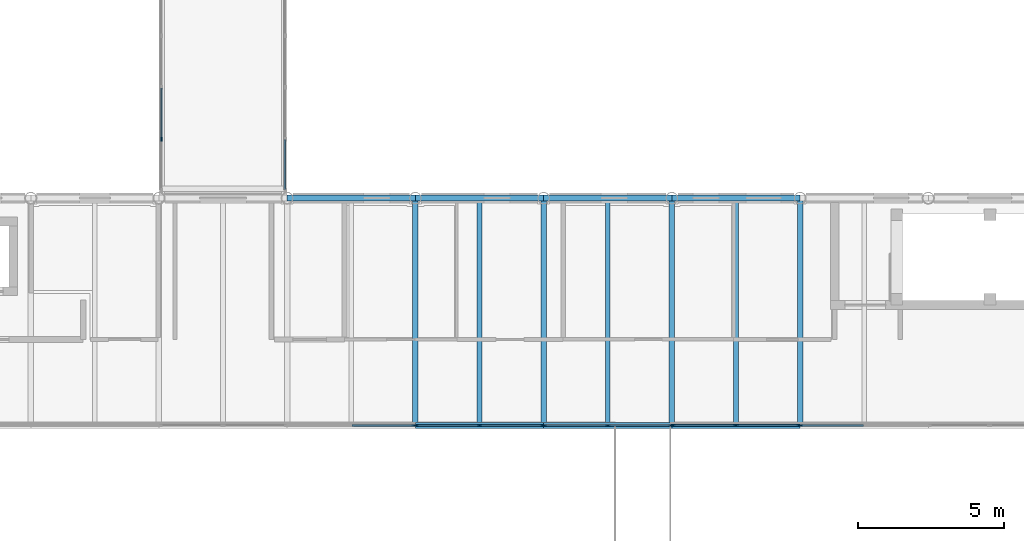
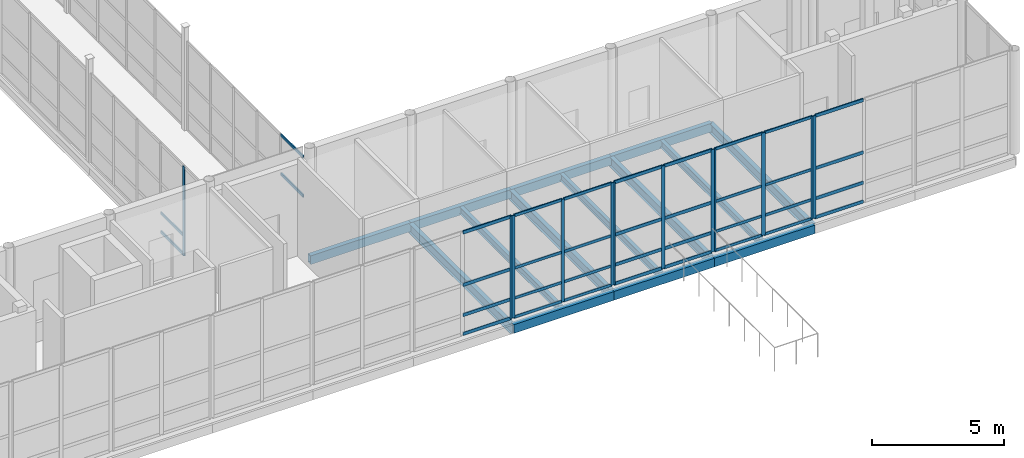
# One storey, part 48 of 138: 48 members, 14 beams, 7 elements without a shape of their own.
"""IFC4 building model written with IfcOpenShell, lengths in metres."""

from ifc_helpers import new_model, si_unit, direction, frame, origin, origin_2d, place, context, subcontext, project, spatial, rectangle, hollow_rectangle, i_section, extrude, material, layer, layer_set, material_profile, profile_set, type_object, element, aggregate, save


model = new_model("IFC4")

# Units and contexts
model_context = context("Model", 3, precision=1e-05, world=origin(), true_north=direction((0.0, 1.0)))
body_context = subcontext(model_context, "Body", "Model", "MODEL_VIEW")
ifc_project = project(units=[si_unit("LENGTHUNIT", "METRE"), si_unit("AREAUNIT", "SQUARE_METRE"), si_unit("VOLUMEUNIT", "CUBIC_METRE"), si_unit("PLANEANGLEUNIT", "RADIAN"), si_unit("MASSUNIT", "GRAM", prefix="KILO")], contexts=[model_context])

# Site, building, storey
site_placement = place(None, origin())
site = spatial("IfcSite", under=ifc_project, at=site_placement, CompositionType="ELEMENT")
building_placement = place(site_placement, origin())
building = spatial("IfcBuilding", under=site, at=building_placement, Name="Celorna Specialist Clinic", CompositionType="ELEMENT")
storey_placement = place(building_placement, frame((0.0, 0.0, 4.800048828125)))
storey = spatial("IfcBuildingStorey", under=building, at=storey_placement, Name="L01", CompositionType="ELEMENT", Elevation=4.800048828125)

# Beams
ifc_material_1 = material(Name="Steel S355", Category="steel")
ifc_material_profile_1 = material_profile(ifc_material_1, i_section(OverallWidth=0.18994140625, OverallDepth=0.449951171875, WebThickness=0.009521484375, FlangeThickness=0.0146484375, at=origin_2d()), Name="IPE 450")
ifc_profile_set_1 = profile_set([ifc_material_profile_1], Name="Steel S355")
beam_type_1 = type_object("IfcBeamType", Name="BM-09", PredefinedType="BEAM", material=ifc_profile_set_1)
for number, where, z_axis, x_axis, name in (
    (1, (81.0, 70.199951171875, -0.485107421875), (0.0, 1.0, 0.0), (-1.0, 0.0, 0.0), "Transverse girder BM-09 #217"),
    (2, (85.39990234375, 70.199951171875, -0.485107421875), (0.0, 1.0, 0.0), (-1.0, 0.0, 0.0), "Transverse girder BM-09 #218"),
    (3, (89.800048828125, 70.199951171875, -0.485107421875), (0.0, 1.0, 0.0), (-1.0, 0.0, 0.0), "Transverse girder BM-09 #219"),
    (4, (94.199951171875, 70.199951171875, -0.485107421875), (0.0, 1.0, 0.0), (-1.0, 0.0, 0.0), "Transverse girder BM-09 #220"),
):
    element("IfcBeam", number, at=place(storey_placement, frame(where, z_axis=z_axis, x_axis=x_axis)), inside=storey, type_object=beam_type_1, Name=name, PredefinedType="BEAM", context=body_context, shape_type="SweptSolid", body=[
        extrude(i_section(OverallWidth=0.18994140625, OverallDepth=0.449951171875, WebThickness=0.009521484375, FlangeThickness=0.0146484375, at=origin_2d()), origin(), (0.0, 0.0, 1.0), 7.800048828125),
    ])
ifc_material_profile_2 = material_profile(ifc_material_1, i_section(OverallWidth=0.159912109375, OverallDepth=0.330078125, WebThickness=0.007568359375, FlangeThickness=0.011474609375, at=origin_2d()), Name="IPE 330")
ifc_profile_set_2 = profile_set([ifc_material_profile_2], Name="Steel S355")
beam_type_2 = type_object("IfcBeamType", Name="BM-12", PredefinedType="JOIST", material=ifc_profile_set_2)
for number, where, z_axis, x_axis, name in (
    (5, (83.199951171875, 70.2880859375, -0.425048828125), (0.0, 1.0, 0.0), (-1.0, 0.0, 0.0), "Secondary floor joist BM-12 #226"),
    (6, (87.60009765625, 70.2880859375, -0.425048828125), (0.0, 1.0, 0.0), (-1.0, 0.0, 0.0), "Secondary floor joist BM-12 #227"),
    (7, (92.0, 70.2880859375, -0.425048828125), (0.0, 1.0, 0.0), (-1.0, 0.0, 0.0), "Secondary floor joist BM-12 #228"),
):
    element("IfcBeam", number, at=place(storey_placement, frame(where, z_axis=z_axis, x_axis=x_axis)), inside=storey, type_object=beam_type_2, Name=name, PredefinedType="JOIST", context=body_context, shape_type="SweptSolid", body=[
        extrude(i_section(OverallWidth=0.159912109375, OverallDepth=0.330078125, WebThickness=0.007568359375, FlangeThickness=0.011474609375, at=origin_2d()), origin(), (0.0, 0.0, 1.0), 7.6240234375),
    ])
ifc_material_profile_3 = material_profile(ifc_material_1, hollow_rectangle(XDim=0.199951171875, YDim=0.39990234375, WallThickness=0.011962890625, at=origin_2d()), Name="RHS 200x400x12")
ifc_profile_set_3 = profile_set([ifc_material_profile_3], Name="Steel S355")
beam_type_3 = type_object("IfcBeamType", Name="BM-15", PredefinedType="SPANDREL", material=ifc_profile_set_3)
beam_1_placement = place(storey_placement, frame((81.0, 70.199951171875, -0.4599609375), z_axis=(1.0, 0.0, 0.0), x_axis=(0.0, 1.0, 0.0)))
element("IfcBeam", 8, at=beam_1_placement, inside=storey, type_object=beam_type_3, Name="Spandrel beam BM-15 #196", PredefinedType="SPANDREL", context=body_context, shape_type="SweptSolid", body=[
    extrude(hollow_rectangle(XDim=0.199951171875, YDim=0.39990234375, WallThickness=0.011962890625, at=origin_2d()), origin(), (0.0, 0.0, 1.0), 4.39990234375),
])
beam_2_placement = place(storey_placement, frame((85.39990234375, 70.199951171875, -0.4599609375), z_axis=(1.0, 0.0, 0.0), x_axis=(0.0, 1.0, 0.0)))
element("IfcBeam", 9, at=beam_2_placement, inside=storey, type_object=beam_type_3, Name="Spandrel beam BM-15 #197", PredefinedType="SPANDREL", context=body_context, shape_type="SweptSolid", body=[
    extrude(hollow_rectangle(XDim=0.199951171875, YDim=0.39990234375, WallThickness=0.011962890625, at=origin_2d()), origin(), (0.0, 0.0, 1.0), 4.400146484375),
])
for number, where, z_axis, x_axis, name in (
    (10, (89.800048828125, 70.199951171875, -0.4599609375), (1.0, 0.0, 0.0), (0.0, 1.0, 0.0), "Spandrel beam BM-15 #198"),
    (11, (76.60009765625, 78.0, -0.4599609375), (1.0, 0.0, 0.0), (0.0, 1.0, 0.0), "Spandrel beam BM-15 #206"),
    (12, (81.0, 78.0, -0.4599609375), (1.0, 0.0, 0.0), (0.0, 1.0, 0.0), "Spandrel beam BM-15 #207"),
):
    element("IfcBeam", number, at=place(storey_placement, frame(where, z_axis=z_axis, x_axis=x_axis)), inside=storey, type_object=beam_type_3, Name=name, PredefinedType="SPANDREL", context=body_context, shape_type="SweptSolid", body=[
        extrude(hollow_rectangle(XDim=0.199951171875, YDim=0.39990234375, WallThickness=0.011962890625, at=origin_2d()), origin(), (0.0, 0.0, 1.0), 4.39990234375),
    ])
beam_3_placement = place(storey_placement, frame((85.39990234375, 78.0, -0.4599609375), z_axis=(1.0, 0.0, 0.0), x_axis=(0.0, 1.0, 0.0)))
element("IfcBeam", 13, at=beam_3_placement, inside=storey, type_object=beam_type_3, Name="Spandrel beam BM-15 #208", PredefinedType="SPANDREL", context=body_context, shape_type="SweptSolid", body=[
    extrude(hollow_rectangle(XDim=0.199951171875, YDim=0.39990234375, WallThickness=0.011962890625, at=origin_2d()), origin(), (0.0, 0.0, 1.0), 4.400146484375),
])
beam_4_placement = place(storey_placement, frame((89.800048828125, 78.0, -0.4599609375), z_axis=(1.0, 0.0, 0.0), x_axis=(0.0, 1.0, 0.0)))
element("IfcBeam", 14, at=beam_4_placement, inside=storey, type_object=beam_type_3, Name="Spandrel beam BM-15 #209", PredefinedType="SPANDREL", context=body_context, shape_type="SweptSolid", body=[
    extrude(hollow_rectangle(XDim=0.199951171875, YDim=0.39990234375, WallThickness=0.011962890625, at=origin_2d()), origin(), (0.0, 0.0, 1.0), 4.39990234375),
])

# Curtain wall, members
ifc_material_2 = material(Name="Thermally broken aluminium and solar-control glass curtain wall", Category="aluminium")
ifc_layer_1 = layer(ifc_material_2, 0.159912109375, Name="Thermally broken aluminium and solar-control glass curtain wall")
ifc_layer_set_1 = layer_set([ifc_layer_1], Name="Thermally broken aluminium and solar-control glass curtain wall")
curtain_wall_type_1 = type_object("IfcCurtainWallType", Name="CW-09", PredefinedType="NOTDEFINED", material=ifc_layer_set_1)
curtain_wall_1_placement = place(storey_placement, origin())
curtain_wall_1 = element("IfcCurtainWall", 15, at=curtain_wall_1_placement, inside=storey, type_object=curtain_wall_type_1, Name="Curtain wall CW-09 #33", PredefinedType="NOTDEFINED")
ifc_material_3 = material(Name="Anodized aluminium mullion", Category="aluminium")
ifc_material_profile_4 = material_profile(ifc_material_3, rectangle(XDim=0.050048828125, YDim=0.159912109375, at=origin_2d()), Name="ALU MULLION 50x160")
ifc_profile_set_4 = profile_set([ifc_material_profile_4], Name="Anodized aluminium mullion")
member_type_1 = type_object("IfcMemberType", Name="ML-01", PredefinedType="MULLION", material=ifc_profile_set_4)
member_1_placement = place(storey_placement, frame((89.77099609375, 70.199951171875, 0.0), z_axis=(0.0, 0.0, 1.0), x_axis=(0.0, -1.0, 0.0)))
member_1 = element("IfcMember", 16, at=member_1_placement, type_object=member_type_1, Name="CW-09 mullion 1", PredefinedType="MULLION", context=body_context, shape_type="SweptSolid", body=[
    extrude(rectangle(XDim=0.050048828125, YDim=0.159912109375, at=origin_2d()), origin(), (0.0, 0.0, 1.0), 4.75),
])
member_2_placement = place(storey_placement, frame((87.60009765625, 70.199951171875, 0.0), z_axis=(0.0, 0.0, 1.0), x_axis=(0.0, -1.0, 0.0)))
member_2 = element("IfcMember", 17, at=member_2_placement, type_object=member_type_1, Name="CW-09 mullion 2", PredefinedType="MULLION", context=body_context, shape_type="SweptSolid", body=[
    extrude(rectangle(XDim=0.050048828125, YDim=0.159912109375, at=origin_2d()), origin(), (0.0, 0.0, 1.0), 4.75),
])
member_3_placement = place(storey_placement, frame((85.428955078125, 70.199951171875, 0.0), z_axis=(0.0, 0.0, 1.0), x_axis=(0.0, -1.0, 0.0)))
member_3 = element("IfcMember", 18, at=member_3_placement, type_object=member_type_1, Name="CW-09 mullion 3", PredefinedType="MULLION", context=body_context, shape_type="SweptSolid", body=[
    extrude(rectangle(XDim=0.050048828125, YDim=0.159912109375, at=origin_2d()), origin(), (0.0, 0.0, 1.0), 4.75),
])

# Curtain wall, member
ifc_layer_2 = layer(ifc_material_2, 0.159912109375, Name="Thermally broken aluminium and solar-control glass curtain wall")
ifc_layer_set_2 = layer_set([ifc_layer_2], Name="Thermally broken aluminium and solar-control glass curtain wall")
curtain_wall_type_2 = type_object("IfcCurtainWallType", Name="CW-10", PredefinedType="NOTDEFINED", material=ifc_layer_set_2)
curtain_wall_2_placement = place(storey_placement, origin())
curtain_wall_2 = element("IfcCurtainWall", 19, at=curtain_wall_2_placement, inside=storey, type_object=curtain_wall_type_2, Name="Curtain wall CW-10 #31", PredefinedType="NOTDEFINED")
ifc_material_profile_5 = material_profile(ifc_material_3, rectangle(XDim=0.050048828125, YDim=0.179931640625, at=origin_2d()), Name="ALU MULLION 50x180")
ifc_profile_set_5 = profile_set([ifc_material_profile_5], Name="Anodized aluminium mullion")
member_type_2 = type_object("IfcMemberType", Name="ML-02", PredefinedType="MULLION", material=ifc_profile_set_5)
member_4_placement = place(storey_placement, frame((80.970947265625, 70.199951171875, 0.0), z_axis=(0.0, 0.0, 1.0), x_axis=(0.0, -1.0, 0.0)))
member_4 = element("IfcMember", 20, at=member_4_placement, type_object=member_type_2, Name="CW-10 mullion 1", PredefinedType="MULLION", context=body_context, shape_type="SweptSolid", body=[
    extrude(rectangle(XDim=0.050048828125, YDim=0.179931640625, at=origin_2d()), origin(), (0.0, 0.0, 1.0), 4.75),
])

# Curtain wall, members
curtain_wall_3_placement = place(storey_placement, origin())
curtain_wall_3 = element("IfcCurtainWall", 21, at=curtain_wall_3_placement, inside=storey, type_object=curtain_wall_type_2, Name="Curtain wall CW-10 #34", PredefinedType="NOTDEFINED")
member_5_placement = place(storey_placement, frame((94.1708984375, 70.199951171875, 0.0), z_axis=(0.0, 0.0, 1.0), x_axis=(0.0, -1.0, 0.0)))
member_5 = element("IfcMember", 22, at=member_5_placement, type_object=member_type_2, Name="CW-10 mullion 1", PredefinedType="MULLION", context=body_context, shape_type="SweptSolid", body=[
    extrude(rectangle(XDim=0.050048828125, YDim=0.179931640625, at=origin_2d()), origin(), (0.0, 0.0, 1.0), 4.75),
])
member_6_placement = place(storey_placement, frame((92.0, 70.199951171875, 0.0), z_axis=(0.0, 0.0, 1.0), x_axis=(0.0, -1.0, 0.0)))
member_6 = element("IfcMember", 23, at=member_6_placement, type_object=member_type_2, Name="CW-10 mullion 2", PredefinedType="MULLION", context=body_context, shape_type="SweptSolid", body=[
    extrude(rectangle(XDim=0.050048828125, YDim=0.179931640625, at=origin_2d()), origin(), (0.0, 0.0, 1.0), 4.75),
])
member_7_placement = place(storey_placement, frame((89.8291015625, 70.199951171875, 0.0), z_axis=(0.0, 0.0, 1.0), x_axis=(0.0, -1.0, 0.0)))
member_7 = element("IfcMember", 24, at=member_7_placement, type_object=member_type_2, Name="CW-10 mullion 3", PredefinedType="MULLION", context=body_context, shape_type="SweptSolid", body=[
    extrude(rectangle(XDim=0.050048828125, YDim=0.179931640625, at=origin_2d()), origin(), (0.0, 0.0, 1.0), 4.75),
])

ifc_layer_3 = layer(ifc_material_2, 0.159912109375, Name="Thermally broken aluminium and solar-control glass curtain wall")
ifc_layer_set_3 = layer_set([ifc_layer_3], Name="Thermally broken aluminium and solar-control glass curtain wall")
curtain_wall_type_3 = type_object("IfcCurtainWallType", Name="CW-11", PredefinedType="NOTDEFINED", material=ifc_layer_set_3)
curtain_wall_4_placement = place(storey_placement, origin())
curtain_wall_4 = element("IfcCurtainWall", 25, at=curtain_wall_4_placement, inside=storey, type_object=curtain_wall_type_3, Name="Curtain wall CW-11 #32", PredefinedType="NOTDEFINED")
ifc_material_profile_6 = material_profile(ifc_material_3, rectangle(XDim=0.050048828125, YDim=0.139892578125, at=origin_2d()), Name="ALU MULLION 50x140")
ifc_profile_set_6 = profile_set([ifc_material_profile_6], Name="Anodized aluminium mullion")
member_type_3 = type_object("IfcMemberType", Name="ML-03", PredefinedType="MULLION", material=ifc_profile_set_6)
member_8_placement = place(storey_placement, frame((85.37109375, 70.199951171875, 0.0), z_axis=(0.0, 0.0, 1.0), x_axis=(0.0, -1.0, 0.0)))
member_8 = element("IfcMember", 26, at=member_8_placement, type_object=member_type_3, Name="CW-11 mullion 1", PredefinedType="MULLION", context=body_context, shape_type="SweptSolid", body=[
    extrude(rectangle(XDim=0.050048828125, YDim=0.139892578125, at=origin_2d()), origin(), (0.0, 0.0, 1.0), 4.75),
])
member_9_placement = place(storey_placement, frame((83.199951171875, 70.199951171875, 0.0), z_axis=(0.0, 0.0, 1.0), x_axis=(0.0, -1.0, 0.0)))
member_9 = element("IfcMember", 27, at=member_9_placement, type_object=member_type_3, Name="CW-11 mullion 2", PredefinedType="MULLION", context=body_context, shape_type="SweptSolid", body=[
    extrude(rectangle(XDim=0.050048828125, YDim=0.139892578125, at=origin_2d()), origin(), (0.0, 0.0, 1.0), 4.75),
])
member_10_placement = place(storey_placement, frame((81.029052734375, 70.199951171875, 0.0), z_axis=(0.0, 0.0, 1.0), x_axis=(0.0, -1.0, 0.0)))
member_10 = element("IfcMember", 28, at=member_10_placement, type_object=member_type_3, Name="CW-11 mullion 3", PredefinedType="MULLION", context=body_context, shape_type="SweptSolid", body=[
    extrude(rectangle(XDim=0.050048828125, YDim=0.139892578125, at=origin_2d()), origin(), (0.0, 0.0, 1.0), 4.75),
])

# Curtain wall, member
curtain_wall_5_placement = place(storey_placement, origin())
curtain_wall_5 = element("IfcCurtainWall", 29, at=curtain_wall_5_placement, inside=storey, type_object=curtain_wall_type_3, Name="Curtain wall CW-11 #35", PredefinedType="NOTDEFINED")
member_11_placement = place(storey_placement, frame((94.22900390625, 70.199951171875, 0.0), z_axis=(0.0, 0.0, 1.0), x_axis=(0.0, -1.0, 0.0)))
member_11 = element("IfcMember", 30, at=member_11_placement, type_object=member_type_3, Name="CW-11 mullion 3", PredefinedType="MULLION", context=body_context, shape_type="SweptSolid", body=[
    extrude(rectangle(XDim=0.050048828125, YDim=0.139892578125, at=origin_2d()), origin(), (0.0, 0.0, 1.0), 4.75),
])

ifc_layer_4 = layer(ifc_material_2, 0.159912109375, Name="Thermally broken aluminium and solar-control glass curtain wall")
ifc_layer_set_4 = layer_set([ifc_layer_4], Name="Thermally broken aluminium and solar-control glass curtain wall")
curtain_wall_type_4 = type_object("IfcCurtainWallType", Name="CW-113", PredefinedType="NOTDEFINED", material=ifc_layer_set_4)
curtain_wall_6_placement = place(storey_placement, origin())
curtain_wall_6 = element("IfcCurtainWall", 31, at=curtain_wall_6_placement, inside=storey, type_object=curtain_wall_type_4, Name="Curtain wall CW-113 #210", PredefinedType="NOTDEFINED")
member_12_placement = place(storey_placement, frame((72.280029296875, 80.02587890625, 0.0), z_axis=(0.0, 0.0, 1.0), x_axis=(-1.0, 0.0, 0.0)))
member_12 = element("IfcMember", 32, at=member_12_placement, type_object=member_type_3, Name="CW-113 mullion 2", PredefinedType="MULLION", context=body_context, shape_type="SweptSolid", body=[
    extrude(rectangle(XDim=0.050048828125, YDim=0.139892578125, at=origin_2d()), origin(), (0.0, 0.0, 1.0), 4.1298828125),
])

# Member
ifc_material_4 = material(Name="Anodized aluminium transom", Category="aluminium")
ifc_material_profile_7 = material_profile(ifc_material_4, rectangle(XDim=0.050048828125, YDim=0.1298828125, at=origin_2d()), Name="ALU TRANSOM 50x130")
ifc_profile_set_7 = profile_set([ifc_material_profile_7], Name="Anodized aluminium transom")
member_type_4 = type_object("IfcMemberType", Name="TR-01", PredefinedType="USERDEFINED", material=ifc_profile_set_7)
member_13_placement = place(storey_placement, frame((85.345947265625, 70.199951171875, 0.02490234375), z_axis=(-1.0, 0.0, 0.0), x_axis=(0.0, -1.0, 0.0)))
member_13 = element("IfcMember", 33, at=member_13_placement, type_object=member_type_4, Name="CW-11 transom 1.1", ObjectType="TRANSOM", PredefinedType="USERDEFINED", context=body_context, shape_type="SweptSolid", body=[
    extrude(rectangle(XDim=0.050048828125, YDim=0.1298828125, at=origin_2d()), origin(), (0.0, 0.0, 1.0), 2.120849609375),
])

member_14_placement = place(storey_placement, frame((85.345947265625, 70.199951171875, 0.89990234375), z_axis=(-1.0, 0.0, 0.0), x_axis=(0.0, -1.0, 0.0)))
member_14 = element("IfcMember", 34, at=member_14_placement, type_object=member_type_4, Name="CW-11 transom 1.2", ObjectType="TRANSOM", PredefinedType="USERDEFINED", context=body_context, shape_type="SweptSolid", body=[
    extrude(rectangle(XDim=0.050048828125, YDim=0.1298828125, at=origin_2d()), origin(), (0.0, 0.0, 1.0), 2.120849609375),
])

member_15_placement = place(storey_placement, frame((85.345947265625, 70.199951171875, 2.300048828125), z_axis=(-1.0, 0.0, 0.0), x_axis=(0.0, -1.0, 0.0)))
member_15 = element("IfcMember", 35, at=member_15_placement, type_object=member_type_4, Name="CW-11 transom 1.3", ObjectType="TRANSOM", PredefinedType="USERDEFINED", context=body_context, shape_type="SweptSolid", body=[
    extrude(rectangle(XDim=0.050048828125, YDim=0.1298828125, at=origin_2d()), origin(), (0.0, 0.0, 1.0), 2.120849609375),
])

member_16_placement = place(storey_placement, frame((85.345947265625, 70.199951171875, 4.724853515625), z_axis=(-1.0, 0.0, 0.0), x_axis=(0.0, -1.0, 0.0)))
member_16 = element("IfcMember", 36, at=member_16_placement, type_object=member_type_4, Name="CW-11 transom 1.4", ObjectType="TRANSOM", PredefinedType="USERDEFINED", context=body_context, shape_type="SweptSolid", body=[
    extrude(rectangle(XDim=0.050048828125, YDim=0.1298828125, at=origin_2d()), origin(), (0.0, 0.0, 1.0), 2.120849609375),
])

member_17_placement = place(storey_placement, frame((83.175048828125, 70.199951171875, 0.02490234375), z_axis=(-1.0, 0.0, 0.0), x_axis=(0.0, -1.0, 0.0)))
member_17 = element("IfcMember", 37, at=member_17_placement, type_object=member_type_4, Name="CW-11 transom 2.1", ObjectType="TRANSOM", PredefinedType="USERDEFINED", context=body_context, shape_type="SweptSolid", body=[
    extrude(rectangle(XDim=0.050048828125, YDim=0.1298828125, at=origin_2d()), origin(), (0.0, 0.0, 1.0), 2.12109375),
])

member_18_placement = place(storey_placement, frame((83.175048828125, 70.199951171875, 0.89990234375), z_axis=(-1.0, 0.0, 0.0), x_axis=(0.0, -1.0, 0.0)))
member_18 = element("IfcMember", 38, at=member_18_placement, type_object=member_type_4, Name="CW-11 transom 2.2", ObjectType="TRANSOM", PredefinedType="USERDEFINED", context=body_context, shape_type="SweptSolid", body=[
    extrude(rectangle(XDim=0.050048828125, YDim=0.1298828125, at=origin_2d()), origin(), (0.0, 0.0, 1.0), 2.12109375),
])

member_19_placement = place(storey_placement, frame((83.175048828125, 70.199951171875, 2.300048828125), z_axis=(-1.0, 0.0, 0.0), x_axis=(0.0, -1.0, 0.0)))
member_19 = element("IfcMember", 39, at=member_19_placement, type_object=member_type_4, Name="CW-11 transom 2.3", ObjectType="TRANSOM", PredefinedType="USERDEFINED", context=body_context, shape_type="SweptSolid", body=[
    extrude(rectangle(XDim=0.050048828125, YDim=0.1298828125, at=origin_2d()), origin(), (0.0, 0.0, 1.0), 2.12109375),
])

member_20_placement = place(storey_placement, frame((83.175048828125, 70.199951171875, 4.724853515625), z_axis=(-1.0, 0.0, 0.0), x_axis=(0.0, -1.0, 0.0)))
member_20 = element("IfcMember", 40, at=member_20_placement, type_object=member_type_4, Name="CW-11 transom 2.4", ObjectType="TRANSOM", PredefinedType="USERDEFINED", context=body_context, shape_type="SweptSolid", body=[
    extrude(rectangle(XDim=0.050048828125, YDim=0.1298828125, at=origin_2d()), origin(), (0.0, 0.0, 1.0), 2.12109375),
])

aggregate(curtain_wall_4, [member_8, member_9, member_10, member_13, member_14, member_15, member_16, member_17, member_18, member_19, member_20])

member_21_placement = place(storey_placement, frame((94.14599609375, 70.199951171875, 0.02490234375), z_axis=(-1.0, 0.0, 0.0), x_axis=(0.0, -1.0, 0.0)))
member_21 = element("IfcMember", 41, at=member_21_placement, type_object=member_type_4, Name="CW-10 transom 1.1", ObjectType="TRANSOM", PredefinedType="USERDEFINED", context=body_context, shape_type="SweptSolid", body=[
    extrude(rectangle(XDim=0.050048828125, YDim=0.1298828125, at=origin_2d()), origin(), (0.0, 0.0, 1.0), 2.12109375),
])

member_22_placement = place(storey_placement, frame((94.14599609375, 70.199951171875, 0.89990234375), z_axis=(-1.0, 0.0, 0.0), x_axis=(0.0, -1.0, 0.0)))
member_22 = element("IfcMember", 42, at=member_22_placement, type_object=member_type_4, Name="CW-10 transom 1.2", ObjectType="TRANSOM", PredefinedType="USERDEFINED", context=body_context, shape_type="SweptSolid", body=[
    extrude(rectangle(XDim=0.050048828125, YDim=0.1298828125, at=origin_2d()), origin(), (0.0, 0.0, 1.0), 2.12109375),
])

member_23_placement = place(storey_placement, frame((94.14599609375, 70.199951171875, 2.300048828125), z_axis=(-1.0, 0.0, 0.0), x_axis=(0.0, -1.0, 0.0)))
member_23 = element("IfcMember", 43, at=member_23_placement, type_object=member_type_4, Name="CW-10 transom 1.3", ObjectType="TRANSOM", PredefinedType="USERDEFINED", context=body_context, shape_type="SweptSolid", body=[
    extrude(rectangle(XDim=0.050048828125, YDim=0.1298828125, at=origin_2d()), origin(), (0.0, 0.0, 1.0), 2.12109375),
])

member_24_placement = place(storey_placement, frame((94.14599609375, 70.199951171875, 4.724853515625), z_axis=(-1.0, 0.0, 0.0), x_axis=(0.0, -1.0, 0.0)))
member_24 = element("IfcMember", 44, at=member_24_placement, type_object=member_type_4, Name="CW-10 transom 1.4", ObjectType="TRANSOM", PredefinedType="USERDEFINED", context=body_context, shape_type="SweptSolid", body=[
    extrude(rectangle(XDim=0.050048828125, YDim=0.1298828125, at=origin_2d()), origin(), (0.0, 0.0, 1.0), 2.12109375),
])

member_25_placement = place(storey_placement, frame((91.97509765625, 70.199951171875, 0.02490234375), z_axis=(-1.0, 0.0, 0.0), x_axis=(0.0, -1.0, 0.0)))
member_25 = element("IfcMember", 45, at=member_25_placement, type_object=member_type_4, Name="CW-10 transom 2.1", ObjectType="TRANSOM", PredefinedType="USERDEFINED", context=body_context, shape_type="SweptSolid", body=[
    extrude(rectangle(XDim=0.050048828125, YDim=0.1298828125, at=origin_2d()), origin(), (0.0, 0.0, 1.0), 2.12109375),
])

member_26_placement = place(storey_placement, frame((91.97509765625, 70.199951171875, 0.89990234375), z_axis=(-1.0, 0.0, 0.0), x_axis=(0.0, -1.0, 0.0)))
member_26 = element("IfcMember", 46, at=member_26_placement, type_object=member_type_4, Name="CW-10 transom 2.2", ObjectType="TRANSOM", PredefinedType="USERDEFINED", context=body_context, shape_type="SweptSolid", body=[
    extrude(rectangle(XDim=0.050048828125, YDim=0.1298828125, at=origin_2d()), origin(), (0.0, 0.0, 1.0), 2.12109375),
])

member_27_placement = place(storey_placement, frame((91.97509765625, 70.199951171875, 2.300048828125), z_axis=(-1.0, 0.0, 0.0), x_axis=(0.0, -1.0, 0.0)))
member_27 = element("IfcMember", 47, at=member_27_placement, type_object=member_type_4, Name="CW-10 transom 2.3", ObjectType="TRANSOM", PredefinedType="USERDEFINED", context=body_context, shape_type="SweptSolid", body=[
    extrude(rectangle(XDim=0.050048828125, YDim=0.1298828125, at=origin_2d()), origin(), (0.0, 0.0, 1.0), 2.12109375),
])

member_28_placement = place(storey_placement, frame((91.97509765625, 70.199951171875, 4.724853515625), z_axis=(-1.0, 0.0, 0.0), x_axis=(0.0, -1.0, 0.0)))
member_28 = element("IfcMember", 48, at=member_28_placement, type_object=member_type_4, Name="CW-10 transom 2.4", ObjectType="TRANSOM", PredefinedType="USERDEFINED", context=body_context, shape_type="SweptSolid", body=[
    extrude(rectangle(XDim=0.050048828125, YDim=0.1298828125, at=origin_2d()), origin(), (0.0, 0.0, 1.0), 2.12109375),
])

aggregate(curtain_wall_3, [member_5, member_6, member_7, member_21, member_22, member_23, member_24, member_25, member_26, member_27, member_28])

member_29_placement = place(storey_placement, frame((72.280029296875, 80.051025390625, 0.02490234375), z_axis=(0.0, 1.0, 0.0), x_axis=(-1.0, 0.0, 0.0)))
member_29 = element("IfcMember", 49, at=member_29_placement, type_object=member_type_4, Name="CW-113 transom 2.1", ObjectType="TRANSOM", PredefinedType="USERDEFINED", context=body_context, shape_type="SweptSolid", body=[
    extrude(rectangle(XDim=0.050048828125, YDim=0.1298828125, at=origin_2d()), origin(), (0.0, 0.0, 1.0), 1.72607421875),
])

member_30_placement = place(storey_placement, frame((72.280029296875, 80.051025390625, 0.89990234375), z_axis=(0.0, 1.0, 0.0), x_axis=(-1.0, 0.0, 0.0)))
member_30 = element("IfcMember", 50, at=member_30_placement, type_object=member_type_4, Name="CW-113 transom 2.2", ObjectType="TRANSOM", PredefinedType="USERDEFINED", context=body_context, shape_type="SweptSolid", body=[
    extrude(rectangle(XDim=0.050048828125, YDim=0.1298828125, at=origin_2d()), origin(), (0.0, 0.0, 1.0), 1.72607421875),
])

aggregate(curtain_wall_6, [member_12, member_29, member_30])

# Curtain wall, members
curtain_wall_7_placement = place(storey_placement, origin())
curtain_wall_7 = element("IfcCurtainWall", 51, at=curtain_wall_7_placement, inside=storey, type_object=curtain_wall_type_4, Name="Curtain wall CW-113 #215", PredefinedType="NOTDEFINED")
member_31_placement = place(storey_placement, frame((76.52001953125, 80.0009765625, 2.300048828125), z_axis=(0.0, -1.0, 0.0), x_axis=(1.0, 0.0, 0.0)))
member_31 = element("IfcMember", 52, at=member_31_placement, type_object=member_type_4, Name="CW-113 transom 5.3", ObjectType="TRANSOM", PredefinedType="USERDEFINED", context=body_context, shape_type="SweptSolid", body=[
    extrude(rectangle(XDim=0.050048828125, YDim=0.1298828125, at=origin_2d()), origin(), (0.0, 0.0, 1.0), 1.700927734375),
])
member_32_placement = place(storey_placement, frame((76.52001953125, 80.0009765625, 4.10498046875), z_axis=(0.0, -1.0, 0.0), x_axis=(1.0, 0.0, 0.0)))
member_32 = element("IfcMember", 53, at=member_32_placement, type_object=member_type_4, Name="CW-113 transom 5.4", ObjectType="TRANSOM", PredefinedType="USERDEFINED", context=body_context, shape_type="SweptSolid", body=[
    extrude(rectangle(XDim=0.050048828125, YDim=0.1298828125, at=origin_2d()), origin(), (0.0, 0.0, 1.0), 1.700927734375),
])
aggregate(curtain_wall_7, [member_31, member_32])

# Member
ifc_material_profile_8 = material_profile(ifc_material_4, rectangle(XDim=0.050048828125, YDim=0.14990234375, at=origin_2d()), Name="ALU TRANSOM 50x150")
ifc_profile_set_8 = profile_set([ifc_material_profile_8], Name="Anodized aluminium transom")
member_type_5 = type_object("IfcMemberType", Name="TR-02", PredefinedType="USERDEFINED", material=ifc_profile_set_8)
member_33_placement = place(storey_placement, frame((80.946044921875, 70.199951171875, 0.02490234375), z_axis=(-1.0, 0.0, 0.0), x_axis=(0.0, -1.0, 0.0)))
member_33 = element("IfcMember", 54, at=member_33_placement, type_object=member_type_5, Name="CW-10 transom 1.1", ObjectType="TRANSOM", PredefinedType="USERDEFINED", context=body_context, shape_type="SweptSolid", body=[
    extrude(rectangle(XDim=0.050048828125, YDim=0.14990234375, at=origin_2d()), origin(), (0.0, 0.0, 1.0), 2.12109375),
])

member_34_placement = place(storey_placement, frame((80.946044921875, 70.199951171875, 0.89990234375), z_axis=(-1.0, 0.0, 0.0), x_axis=(0.0, -1.0, 0.0)))
member_34 = element("IfcMember", 55, at=member_34_placement, type_object=member_type_5, Name="CW-10 transom 1.2", ObjectType="TRANSOM", PredefinedType="USERDEFINED", context=body_context, shape_type="SweptSolid", body=[
    extrude(rectangle(XDim=0.050048828125, YDim=0.14990234375, at=origin_2d()), origin(), (0.0, 0.0, 1.0), 2.12109375),
])

member_35_placement = place(storey_placement, frame((80.946044921875, 70.199951171875, 2.300048828125), z_axis=(-1.0, 0.0, 0.0), x_axis=(0.0, -1.0, 0.0)))
member_35 = element("IfcMember", 56, at=member_35_placement, type_object=member_type_5, Name="CW-10 transom 1.3", ObjectType="TRANSOM", PredefinedType="USERDEFINED", context=body_context, shape_type="SweptSolid", body=[
    extrude(rectangle(XDim=0.050048828125, YDim=0.14990234375, at=origin_2d()), origin(), (0.0, 0.0, 1.0), 2.12109375),
])

member_36_placement = place(storey_placement, frame((80.946044921875, 70.199951171875, 4.724853515625), z_axis=(-1.0, 0.0, 0.0), x_axis=(0.0, -1.0, 0.0)))
member_36 = element("IfcMember", 57, at=member_36_placement, type_object=member_type_5, Name="CW-10 transom 1.4", ObjectType="TRANSOM", PredefinedType="USERDEFINED", context=body_context, shape_type="SweptSolid", body=[
    extrude(rectangle(XDim=0.050048828125, YDim=0.14990234375, at=origin_2d()), origin(), (0.0, 0.0, 1.0), 2.12109375),
])

aggregate(curtain_wall_2, [member_4, member_33, member_34, member_35, member_36])

member_37_placement = place(storey_placement, frame((89.74609375, 70.199951171875, 0.02490234375), z_axis=(-1.0, 0.0, 0.0), x_axis=(0.0, -1.0, 0.0)))
member_37 = element("IfcMember", 58, at=member_37_placement, type_object=member_type_5, Name="CW-09 transom 1.1", ObjectType="TRANSOM", PredefinedType="USERDEFINED", context=body_context, shape_type="SweptSolid", body=[
    extrude(rectangle(XDim=0.050048828125, YDim=0.14990234375, at=origin_2d()), origin(), (0.0, 0.0, 1.0), 2.12109375),
])

member_38_placement = place(storey_placement, frame((89.74609375, 70.199951171875, 0.89990234375), z_axis=(-1.0, 0.0, 0.0), x_axis=(0.0, -1.0, 0.0)))
member_38 = element("IfcMember", 59, at=member_38_placement, type_object=member_type_5, Name="CW-09 transom 1.2", ObjectType="TRANSOM", PredefinedType="USERDEFINED", context=body_context, shape_type="SweptSolid", body=[
    extrude(rectangle(XDim=0.050048828125, YDim=0.14990234375, at=origin_2d()), origin(), (0.0, 0.0, 1.0), 2.12109375),
])

member_39_placement = place(storey_placement, frame((89.74609375, 70.199951171875, 2.300048828125), z_axis=(-1.0, 0.0, 0.0), x_axis=(0.0, -1.0, 0.0)))
member_39 = element("IfcMember", 60, at=member_39_placement, type_object=member_type_5, Name="CW-09 transom 1.3", ObjectType="TRANSOM", PredefinedType="USERDEFINED", context=body_context, shape_type="SweptSolid", body=[
    extrude(rectangle(XDim=0.050048828125, YDim=0.14990234375, at=origin_2d()), origin(), (0.0, 0.0, 1.0), 2.12109375),
])

member_40_placement = place(storey_placement, frame((89.74609375, 70.199951171875, 4.724853515625), z_axis=(-1.0, 0.0, 0.0), x_axis=(0.0, -1.0, 0.0)))
member_40 = element("IfcMember", 61, at=member_40_placement, type_object=member_type_5, Name="CW-09 transom 1.4", ObjectType="TRANSOM", PredefinedType="USERDEFINED", context=body_context, shape_type="SweptSolid", body=[
    extrude(rectangle(XDim=0.050048828125, YDim=0.14990234375, at=origin_2d()), origin(), (0.0, 0.0, 1.0), 2.12109375),
])

member_41_placement = place(storey_placement, frame((87.574951171875, 70.199951171875, 0.02490234375), z_axis=(-1.0, 0.0, 0.0), x_axis=(0.0, -1.0, 0.0)))
member_41 = element("IfcMember", 62, at=member_41_placement, type_object=member_type_5, Name="CW-09 transom 2.1", ObjectType="TRANSOM", PredefinedType="USERDEFINED", context=body_context, shape_type="SweptSolid", body=[
    extrude(rectangle(XDim=0.050048828125, YDim=0.14990234375, at=origin_2d()), origin(), (0.0, 0.0, 1.0), 2.120849609375),
])

member_42_placement = place(storey_placement, frame((87.574951171875, 70.199951171875, 0.89990234375), z_axis=(-1.0, 0.0, 0.0), x_axis=(0.0, -1.0, 0.0)))
member_42 = element("IfcMember", 63, at=member_42_placement, type_object=member_type_5, Name="CW-09 transom 2.2", ObjectType="TRANSOM", PredefinedType="USERDEFINED", context=body_context, shape_type="SweptSolid", body=[
    extrude(rectangle(XDim=0.050048828125, YDim=0.14990234375, at=origin_2d()), origin(), (0.0, 0.0, 1.0), 2.120849609375),
])

member_43_placement = place(storey_placement, frame((87.574951171875, 70.199951171875, 2.300048828125), z_axis=(-1.0, 0.0, 0.0), x_axis=(0.0, -1.0, 0.0)))
member_43 = element("IfcMember", 64, at=member_43_placement, type_object=member_type_5, Name="CW-09 transom 2.3", ObjectType="TRANSOM", PredefinedType="USERDEFINED", context=body_context, shape_type="SweptSolid", body=[
    extrude(rectangle(XDim=0.050048828125, YDim=0.14990234375, at=origin_2d()), origin(), (0.0, 0.0, 1.0), 2.120849609375),
])

member_44_placement = place(storey_placement, frame((87.574951171875, 70.199951171875, 4.724853515625), z_axis=(-1.0, 0.0, 0.0), x_axis=(0.0, -1.0, 0.0)))
member_44 = element("IfcMember", 65, at=member_44_placement, type_object=member_type_5, Name="CW-09 transom 2.4", ObjectType="TRANSOM", PredefinedType="USERDEFINED", context=body_context, shape_type="SweptSolid", body=[
    extrude(rectangle(XDim=0.050048828125, YDim=0.14990234375, at=origin_2d()), origin(), (0.0, 0.0, 1.0), 2.120849609375),
])

aggregate(curtain_wall_1, [member_1, member_2, member_3, member_37, member_38, member_39, member_40, member_41, member_42, member_43, member_44])

member_45_placement = place(storey_placement, frame((96.375, 70.199951171875, 0.02490234375), z_axis=(-1.0, 0.0, 0.0), x_axis=(0.0, -1.0, 0.0)))
member_45 = element("IfcMember", 66, at=member_45_placement, type_object=member_type_5, Name="CW-11 transom 2.1", ObjectType="TRANSOM", PredefinedType="USERDEFINED", context=body_context, shape_type="SweptSolid", body=[
    extrude(rectangle(XDim=0.050048828125, YDim=0.14990234375, at=origin_2d()), origin(), (0.0, 0.0, 1.0), 2.12109375),
])

member_46_placement = place(storey_placement, frame((96.375, 70.199951171875, 0.89990234375), z_axis=(-1.0, 0.0, 0.0), x_axis=(0.0, -1.0, 0.0)))
member_46 = element("IfcMember", 67, at=member_46_placement, type_object=member_type_5, Name="CW-11 transom 2.2", ObjectType="TRANSOM", PredefinedType="USERDEFINED", context=body_context, shape_type="SweptSolid", body=[
    extrude(rectangle(XDim=0.050048828125, YDim=0.14990234375, at=origin_2d()), origin(), (0.0, 0.0, 1.0), 2.12109375),
])

member_47_placement = place(storey_placement, frame((96.375, 70.199951171875, 2.300048828125), z_axis=(-1.0, 0.0, 0.0), x_axis=(0.0, -1.0, 0.0)))
member_47 = element("IfcMember", 68, at=member_47_placement, type_object=member_type_5, Name="CW-11 transom 2.3", ObjectType="TRANSOM", PredefinedType="USERDEFINED", context=body_context, shape_type="SweptSolid", body=[
    extrude(rectangle(XDim=0.050048828125, YDim=0.14990234375, at=origin_2d()), origin(), (0.0, 0.0, 1.0), 2.12109375),
])

member_48_placement = place(storey_placement, frame((96.375, 70.199951171875, 4.724853515625), z_axis=(-1.0, 0.0, 0.0), x_axis=(0.0, -1.0, 0.0)))
member_48 = element("IfcMember", 69, at=member_48_placement, type_object=member_type_5, Name="CW-11 transom 2.4", ObjectType="TRANSOM", PredefinedType="USERDEFINED", context=body_context, shape_type="SweptSolid", body=[
    extrude(rectangle(XDim=0.050048828125, YDim=0.14990234375, at=origin_2d()), origin(), (0.0, 0.0, 1.0), 2.12109375),
])

aggregate(curtain_wall_5, [member_11, member_45, member_46, member_47, member_48])

save(model, "model.ifc")
